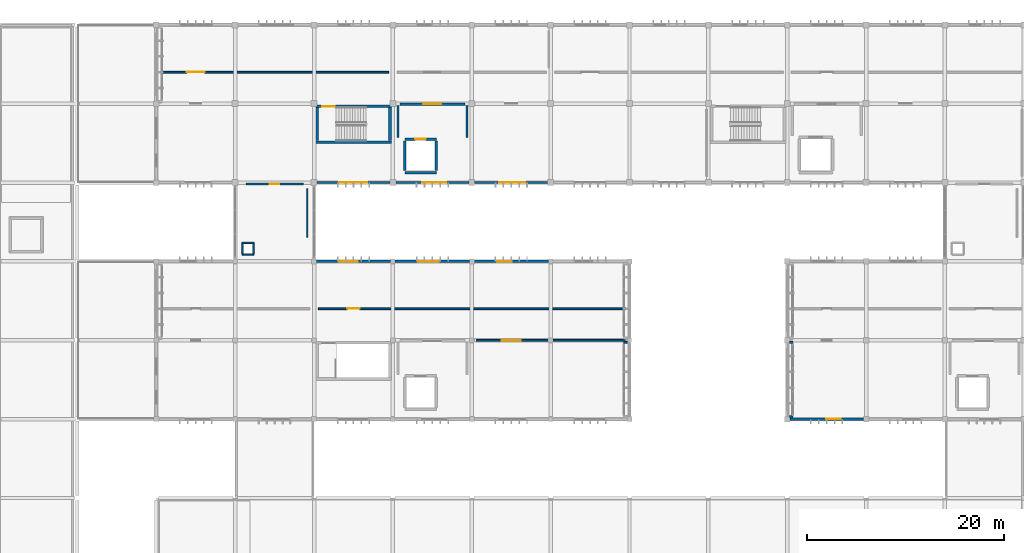
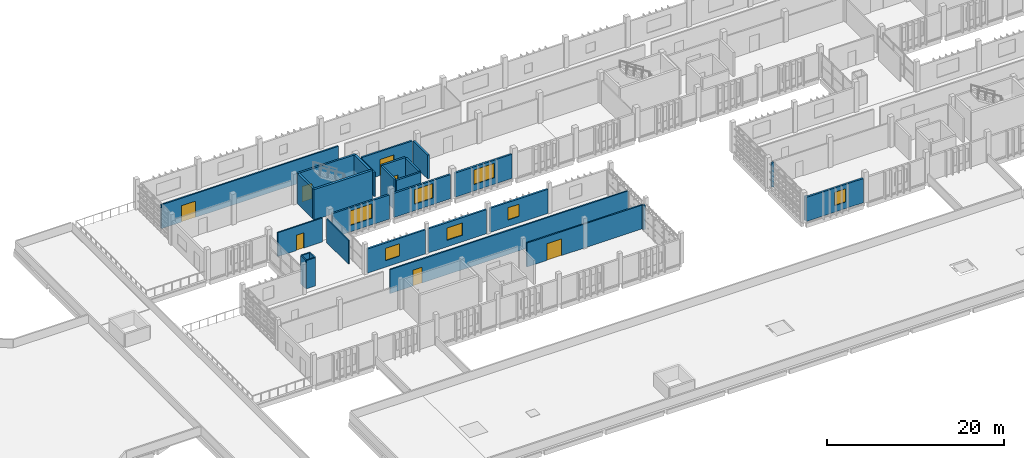
# One storey, part 33 of 48: 30 walls, 7 doors, 7 windows, 14 openings.
"""IFC4 building model written with IfcOpenShell, lengths in metres."""

from ifc_helpers import new_model, si_unit, direction, frame, frame_2d, origin, place, context, subcontext, project, spatial, rectangle, extrude, material, layer, layer_set, type_object, element, fill, save


model = new_model("IFC4")

# Units and contexts
model_context = context("Model", 3, precision=1e-05, world=origin(), true_north=direction((0.0, 1.0)))
body_context = subcontext(model_context, "Body", "Model", "MODEL_VIEW")
ifc_project = project(units=[si_unit("LENGTHUNIT", "METRE"), si_unit("AREAUNIT", "SQUARE_METRE"), si_unit("VOLUMEUNIT", "CUBIC_METRE"), si_unit("PLANEANGLEUNIT", "RADIAN"), si_unit("MASSUNIT", "GRAM", prefix="KILO")], contexts=[model_context])

# Site, building, storey
site_placement = place(None, origin())
site = spatial("IfcSite", under=ifc_project, at=site_placement, CompositionType="ELEMENT")
building_placement = place(site_placement, origin())
building = spatial("IfcBuilding", under=site, at=building_placement, Name="Jelvoka-Kovrelna Polytechnic", CompositionType="ELEMENT")
storey_placement = place(building_placement, frame((0.0, 0.0, 22.199951171875)))
storey = spatial("IfcBuildingStorey", under=building, at=storey_placement, Name="L06", CompositionType="ELEMENT", Elevation=22.199951171875)

# Wall, opening, door
ifc_material_1 = material(Name="Concrete C35/45", Category="concrete")
ifc_layer_1 = layer(ifc_material_1, 0.219970703125)
ifc_layer_set_1 = layer_set([ifc_layer_1], Name="Concrete C35/45")
wall_type_1 = type_object("IfcWallType", Name="Wall_Compartment_220", PredefinedType="PARTITIONING", material=ifc_layer_set_1)
wall_1_placement = place(storey_placement, frame((88.699951171875, 63.949951171875, 0.0), z_axis=(0.0, 0.0, 1.0), x_axis=(1.0, 0.0, 0.0)))
wall_1 = element("IfcWall", 1, at=wall_1_placement, inside=storey, type_object=wall_type_1, Name="L06 interior wall 0303", PredefinedType="PARTITIONING", context=body_context, shape_type="SweptSolid", body=[
    extrude(rectangle(XDim=6.60009765625, YDim=0.219970703125, at=frame_2d((3.300048828125, 0.0))), origin(), (0.0, 0.0, 1.0), 3.300048828125),
])
opening_1_placement = place(wall_1_placement, frame((2.39990234375, 0.0, 0.0)))
opening_1 = element("IfcOpeningElement", 2, at=opening_1_placement, cuts=wall_1, Name="Opening FD-L06-070", PredefinedType="OPENING", context=body_context, shape_type="SweptSolid", body=[
    extrude(rectangle(XDim=1.800048828125, YDim=2.199951171875, at=frame_2d((0.89990234375, 1.10009765625))), frame((0.0, 0.119873046875, 0.0), z_axis=(0.0, -1.0, 0.0), x_axis=(1.0, 0.0, 0.0)), (0.0, 0.0, 1.0), 0.239990234375),
])
ifc_material_2 = material(Name="Paired steel corridor fire door", Category="steel")
door_type_1 = type_object("IfcDoorType", Name="Door_Fire_FD03", OperationType="NOTDEFINED", PredefinedType="DOOR", material=ifc_material_2)
door_1_placement = place(opening_1_placement, origin())
door_1 = element("IfcDoor", 3, at=door_1_placement, inside=storey, type_object=door_type_1, Name="L06 interior door FD-L06-070", OperationType="DOUBLE_DOOR_SINGLE_SWING", OverallHeight=2.199951171875, OverallWidth=1.800048828125, PredefinedType="DOOR", context=body_context, shape_type="SweptSolid", body=[
    extrude(rectangle(XDim=1.800048828125, YDim=2.199951171875, at=frame_2d((0.89990234375, 1.10009765625))), frame((0.0, 0.02490234375, 0.0), z_axis=(0.0, -1.0, 0.0), x_axis=(1.0, 0.0, 0.0)), (0.0, 0.0, 1.0), 0.050048828125),
])
fill(opening_1, door_1)

# Walls
for number, where, z_axis, x_axis, name in (
    (4, (88.5, 60.550048828125, 0.0), (0.0, 0.0, 1.0), (0.0, 1.0, 0.0), "L06 interior wall 0304"),
    (5, (95.5, 60.550048828125, 0.0), (0.0, 0.0, 1.0), (0.0, 1.0, 0.0), "L06 interior wall 0305"),
):
    element("IfcWall", number, at=place(storey_placement, frame(where, z_axis=z_axis, x_axis=x_axis)), inside=storey, type_object=wall_type_1, Name=name, PredefinedType="PARTITIONING", context=body_context, shape_type="SweptSolid", body=[
        extrude(rectangle(XDim=3.25, YDim=0.219970703125, at=frame_2d((1.625, 0.0))), origin(), (0.0, 0.0, 1.0), 3.300048828125),
    ])

# Wall, opening, door
ifc_material_3 = material(Name="Concrete C40/50", Category="concrete")
ifc_layer_2 = layer(ifc_material_3, 0.25)
ifc_layer_set_2 = layer_set([ifc_layer_2], Name="Concrete C40/50")
wall_type_2 = type_object("IfcWallType", Name="Wall_Core_250", PredefinedType="SOLIDWALL", material=ifc_layer_set_2)
wall_2_placement = place(storey_placement, frame((80.199951171875, 63.739990234375, 0.0), z_axis=(0.0, 0.0, 1.0), x_axis=(1.0, 0.0, 0.0)))
wall_2 = element("IfcWall", 6, at=wall_2_placement, inside=storey, type_object=wall_type_2, Name="L06 interior wall 0171", PredefinedType="SOLIDWALL", context=body_context, shape_type="SweptSolid", body=[
    extrude(rectangle(XDim=7.650146484375, YDim=0.25, at=frame_2d((3.8251953125, 0.0))), origin(), (0.0, 0.0, 1.0), 4.199951171875),
])
opening_2_placement = place(wall_2_placement, frame((0.64990234375, 0.0, 0.0)))
opening_2 = element("IfcOpeningElement", 7, at=opening_2_placement, cuts=wall_2, Name="Opening SD-L06-043", PredefinedType="OPENING", context=body_context, shape_type="SweptSolid", body=[
    extrude(rectangle(XDim=1.25, YDim=2.14990234375, at=frame_2d((0.625, 1.074951171875))), frame((0.0, 0.135009765625, 0.0), z_axis=(0.0, -1.0, 0.0), x_axis=(1.0, 0.0, 0.0)), (0.0, 0.0, 1.0), 0.27001953125),
])
ifc_material_4 = material(Name="Powder-coated steel fire door", Category="steel")
door_type_2 = type_object("IfcDoorType", Name="Door_Fire_FD02", OperationType="NOTDEFINED", PredefinedType="DOOR", material=ifc_material_4)
door_2_placement = place(opening_2_placement, origin())
door_2 = element("IfcDoor", 8, at=door_2_placement, inside=storey, type_object=door_type_2, Name="L06 interior door SD-L06-043", OperationType="SINGLE_SWING_LEFT", OverallHeight=2.14990234375, OverallWidth=1.25, PredefinedType="DOOR", context=body_context, shape_type="SweptSolid", body=[
    extrude(rectangle(XDim=1.25, YDim=2.14990234375, at=frame_2d((0.625, 1.074951171875))), frame((0.0, 0.02490234375, 0.0), z_axis=(0.0, -1.0, 0.0), x_axis=(1.0, 0.0, 0.0)), (0.0, 0.0, 1.0), 0.050048828125),
])
fill(opening_2, door_2)

# Walls
wall_3_placement = place(storey_placement, frame((80.324951171875, 60.25, 0.0), z_axis=(0.0, 0.0, 1.0), x_axis=(0.0, 1.0, 0.0)))
element("IfcWall", 9, at=wall_3_placement, inside=storey, type_object=wall_type_2, Name="L06 interior wall 0172", PredefinedType="SOLIDWALL", context=body_context, shape_type="SweptSolid", body=[
    extrude(rectangle(XDim=3.360107421875, YDim=0.25, at=frame_2d((1.68017578125, 0.0))), origin(), (0.0, 0.0, 1.0), 4.199951171875),
])
wall_4_placement = place(storey_placement, frame((89.199951171875, 57.0, 0.0), z_axis=(0.0, 0.0, 1.0), x_axis=(1.0, 0.0, 0.0)))
element("IfcWall", 10, at=wall_4_placement, inside=storey, type_object=wall_type_2, Name="L06 interior wall 0299", PredefinedType="SOLIDWALL", context=body_context, shape_type="SweptSolid", body=[
    extrude(rectangle(XDim=3.199951171875, YDim=0.25, at=frame_2d((1.60009765625, 0.0))), origin(), (0.0, 0.0, 1.0), 4.199951171875),
])

# Wall, opening, door
wall_5_placement = place(storey_placement, frame((89.199951171875, 60.39990234375, 0.0), z_axis=(0.0, 0.0, 1.0), x_axis=(1.0, 0.0, 0.0)))
wall_5 = element("IfcWall", 11, at=wall_5_placement, inside=storey, type_object=wall_type_2, Name="L06 interior wall 0300", PredefinedType="SOLIDWALL", context=body_context, shape_type="SweptSolid", body=[
    extrude(rectangle(XDim=3.199951171875, YDim=0.25, at=frame_2d((1.60009765625, 0.0))), origin(), (0.0, 0.0, 1.0), 4.199951171875),
])
opening_3_placement = place(wall_5_placement, frame((1.050048828125, 0.0, 0.0)))
opening_3 = element("IfcOpeningElement", 12, at=opening_3_placement, cuts=wall_5, Name="Opening LD-L06-07", PredefinedType="OPENING", context=body_context, shape_type="SweptSolid", body=[
    extrude(rectangle(XDim=1.10009765625, YDim=2.14990234375, at=frame_2d((0.550048828125, 1.074951171875))), frame((0.0, 0.135009765625, 0.0), z_axis=(0.0, -1.0, 0.0), x_axis=(1.0, 0.0, 0.0)), (0.0, 0.0, 1.0), 0.27001953125),
])
ifc_material_5 = material(Name="Brushed stainless steel sliding landing door", Category="steel")
door_type_3 = type_object("IfcDoorType", Name="Door_Lift_LD01", OperationType="NOTDEFINED", PredefinedType="DOOR", material=ifc_material_5)
door_3_placement = place(opening_3_placement, origin())
door_3 = element("IfcDoor", 13, at=door_3_placement, inside=storey, type_object=door_type_3, Name="L06 lift landing sliding door LD-L06-07", OperationType="DOUBLE_DOOR_SLIDING", OverallHeight=2.14990234375, OverallWidth=1.10009765625, PredefinedType="DOOR", context=body_context, shape_type="SweptSolid", body=[
    extrude(rectangle(XDim=1.10009765625, YDim=2.14990234375, at=frame_2d((0.550048828125, 1.074951171875))), frame((0.0, 0.02490234375, 0.0), z_axis=(0.0, -1.0, 0.0), x_axis=(1.0, 0.0, 0.0)), (0.0, 0.0, 1.0), 0.050048828125),
])
fill(opening_3, door_3)

# Walls
for number, where, z_axis, x_axis, name in (
    (14, (89.199951171875, 57.199951171875, 0.0), (0.0, 0.0, 1.0), (0.0, 1.0, 0.0), "L06 interior wall 0301"),
    (15, (92.39990234375, 57.199951171875, 0.0), (0.0, 0.0, 1.0), (0.0, 1.0, 0.0), "L06 interior wall 0302"),
):
    element("IfcWall", number, at=place(storey_placement, frame(where, z_axis=z_axis, x_axis=x_axis)), inside=storey, type_object=wall_type_2, Name=name, PredefinedType="SOLIDWALL", context=body_context, shape_type="SweptSolid", body=[
        extrude(rectangle(XDim=3.0, YDim=0.25, at=frame_2d((1.5, 0.0))), origin(), (0.0, 0.0, 1.0), 4.199951171875),
    ])

# Wall, opening, door
ifc_material_6 = material(Name="Autoclaved aerated concrete blockwork", Category="masonry")
ifc_layer_3 = layer(ifc_material_6, 0.179931640625)
ifc_layer_set_3 = layer_set([ifc_layer_3], Name="Autoclaved aerated concrete blockwork")
wall_type_3 = type_object("IfcWallType", Name="Wall_Corridor_180", PredefinedType="PARTITIONING", material=ifc_layer_set_3)
wall_6_placement = place(storey_placement, frame((96.429931640625, 40.0, 0.0), z_axis=(0.0, 0.0, 1.0), x_axis=(1.0, 0.0, 0.0)))
wall_6 = element("IfcWall", 16, at=wall_6_placement, inside=storey, type_object=wall_type_3, Name="L06 interior wall 1241", PredefinedType="PARTITIONING", context=body_context, shape_type="SweptSolid", body=[
    extrude(rectangle(XDim=15.14013671875, YDim=0.179931640625, at=frame_2d((7.570068359375, 0.0))), origin(), (0.0, 0.0, 1.0), 3.300048828125),
])
opening_4_placement = place(wall_6_placement, frame((2.610107421875, 0.0, 0.0)))
opening_4 = element("IfcOpeningElement", 17, at=opening_4_placement, cuts=wall_6, Name="Opening D-L06-417", PredefinedType="OPENING", context=body_context, shape_type="SweptSolid", body=[
    extrude(rectangle(XDim=1.919921875, YDim=2.300048828125, at=frame_2d((0.9599609375, 1.14990234375))), frame((0.0, 0.099853515625, 0.0), z_axis=(0.0, -1.0, 0.0), x_axis=(1.0, 0.0, 0.0)), (0.0, 0.0, 1.0), 0.199951171875),
])
ifc_material_7 = material(Name="Paired workshop prep double door", Category="wood")
door_type_4 = type_object("IfcDoorType", Name="Door_Int_D23", OperationType="NOTDEFINED", PredefinedType="DOOR", material=ifc_material_7)
door_4_placement = place(opening_4_placement, origin())
door_4 = element("IfcDoor", 18, at=door_4_placement, inside=storey, type_object=door_type_4, Name="L06 interior door D-L06-417", OperationType="DOUBLE_DOOR_SINGLE_SWING", OverallHeight=2.300048828125, OverallWidth=1.919921875, PredefinedType="DOOR", context=body_context, shape_type="SweptSolid", body=[
    extrude(rectangle(XDim=1.919921875, YDim=2.300048828125, at=frame_2d((0.9599609375, 1.14990234375))), frame((0.0, 0.02490234375, 0.0), z_axis=(0.0, -1.0, 0.0), x_axis=(1.0, 0.0, 0.0)), (0.0, 0.0, 1.0), 0.050048828125),
])
fill(opening_4, door_4)

wall_7_placement = place(storey_placement, frame((80.429931640625, 43.199951171875, 0.0), z_axis=(0.0, 0.0, 1.0), x_axis=(1.0, 0.0, 0.0)))
wall_7 = element("IfcWall", 19, at=wall_7_placement, inside=storey, type_object=wall_type_3, Name="L06 interior wall 1243", PredefinedType="PARTITIONING", context=body_context, shape_type="SweptSolid", body=[
    extrude(rectangle(XDim=31.14013671875, YDim=0.179931640625, at=frame_2d((15.570068359375, 0.0))), origin(), (0.0, 0.0, 1.0), 3.300048828125),
])
opening_5_placement = place(wall_7_placement, frame((2.9599609375, 0.0, 0.0)))
opening_5 = element("IfcOpeningElement", 20, at=opening_5_placement, cuts=wall_7, Name="Opening D-L06-419", PredefinedType="OPENING", context=body_context, shape_type="SweptSolid", body=[
    extrude(rectangle(XDim=1.219970703125, YDim=2.179931640625, at=frame_2d((0.60986328125, 1.08984375))), frame((0.0, 0.099853515625, 0.0), z_axis=(0.0, -1.0, 0.0), x_axis=(1.0, 0.0, 0.0)), (0.0, 0.0, 1.0), 0.199951171875),
])
ifc_material_8 = material(Name="Hardwood fire-resisting laboratory door", Category="wood")
door_type_5 = type_object("IfcDoorType", Name="Door_Fire_FD30_04", OperationType="NOTDEFINED", PredefinedType="DOOR", material=ifc_material_8)
door_5_placement = place(opening_5_placement, origin())
door_5 = element("IfcDoor", 21, at=door_5_placement, inside=storey, type_object=door_type_5, Name="L06 interior door D-L06-419", OperationType="SINGLE_SWING_LEFT", OverallHeight=2.179931640625, OverallWidth=1.219970703125, PredefinedType="DOOR", context=body_context, shape_type="SweptSolid", body=[
    extrude(rectangle(XDim=1.219970703125, YDim=2.179931640625, at=frame_2d((0.60986328125, 1.08984375))), frame((0.0, 0.02490234375, 0.0), z_axis=(0.0, -1.0, 0.0), x_axis=(1.0, 0.0, 0.0)), (0.0, 0.0, 1.0), 0.050048828125),
])
fill(opening_5, door_5)

wall_8_placement = place(storey_placement, frame((64.429931640625, 67.199951171875, 0.0), z_axis=(0.0, 0.0, 1.0), x_axis=(1.0, 0.0, 0.0)))
wall_8 = element("IfcWall", 22, at=wall_8_placement, inside=storey, type_object=wall_type_3, Name="L06 interior wall 1259", PredefinedType="PARTITIONING", context=body_context, shape_type="SweptSolid", body=[
    extrude(rectangle(XDim=23.14013671875, YDim=0.179931640625, at=frame_2d((11.570068359375, 0.0))), origin(), (0.0, 0.0, 1.0), 3.300048828125),
])
opening_6_placement = place(wall_8_placement, frame((2.659912109375, 0.0, 0.0)))
opening_6 = element("IfcOpeningElement", 23, at=opening_6_placement, cuts=wall_8, Name="Opening D-L06-432", PredefinedType="OPENING", context=body_context, shape_type="SweptSolid", body=[
    extrude(rectangle(XDim=1.820068359375, YDim=2.25, at=frame_2d((0.91015625, 1.125))), frame((0.0, 0.099853515625, 0.0), z_axis=(0.0, -1.0, 0.0), x_axis=(1.0, 0.0, 0.0)), (0.0, 0.0, 1.0), 0.199951171875),
])
ifc_material_9 = material(Name="Paired hardwood fire-resisting assembly door", Category="wood")
door_type_6 = type_object("IfcDoorType", Name="Door_Fire_FD30_10", OperationType="NOTDEFINED", PredefinedType="DOOR", material=ifc_material_9)
door_6_placement = place(opening_6_placement, origin())
door_6 = element("IfcDoor", 24, at=door_6_placement, inside=storey, type_object=door_type_6, Name="L06 interior door D-L06-432", OperationType="DOUBLE_DOOR_SINGLE_SWING", OverallHeight=2.25, OverallWidth=1.820068359375, PredefinedType="DOOR", context=body_context, shape_type="SweptSolid", body=[
    extrude(rectangle(XDim=1.820068359375, YDim=2.25, at=frame_2d((0.91015625, 1.125))), frame((0.0, 0.02490234375, 0.0), z_axis=(0.0, -1.0, 0.0), x_axis=(1.0, 0.0, 0.0)), (0.0, 0.0, 1.0), 0.050048828125),
])
fill(opening_6, door_6)

wall_9_placement = place(storey_placement, frame((73.10009765625, 55.85009765625, 0.0), z_axis=(0.0, 0.0, 1.0), x_axis=(1.0, 0.0, 0.0)))
wall_9 = element("IfcWall", 25, at=wall_9_placement, inside=storey, type_object=wall_type_3, Name="L06 interior wall 1267", PredefinedType="PARTITIONING", context=body_context, shape_type="SweptSolid", body=[
    extrude(rectangle(XDim=5.7998046875, YDim=0.179931640625, at=frame_2d((2.89990234375, 0.0))), origin(), (0.0, 0.0, 1.0), 3.300048828125),
])
opening_7_placement = place(wall_9_placement, frame((2.409912109375, 0.0, 0.0)))
opening_7 = element("IfcOpeningElement", 26, at=opening_7_placement, cuts=wall_9, Name="Opening D-L06-438", PredefinedType="OPENING", context=body_context, shape_type="SweptSolid", body=[
    extrude(rectangle(XDim=0.97998046875, YDim=2.10009765625, at=frame_2d((0.489990234375, 1.050048828125))), frame((0.0, 0.099853515625, 0.0), z_axis=(0.0, -1.0, 0.0), x_axis=(1.0, 0.0, 0.0)), (0.0, 0.0, 1.0), 0.199951171875),
])
ifc_material_10 = material(Name="Hardwood solid-core door", Category="wood")
door_type_7 = type_object("IfcDoorType", Name="Door_Int_D03", OperationType="NOTDEFINED", PredefinedType="DOOR", material=ifc_material_10)
door_7_placement = place(opening_7_placement, origin())
door_7 = element("IfcDoor", 27, at=door_7_placement, inside=storey, type_object=door_type_7, Name="L06 interior door D-L06-438", OperationType="SINGLE_SWING_RIGHT", OverallHeight=2.10009765625, OverallWidth=0.97998046875, PredefinedType="DOOR", context=body_context, shape_type="SweptSolid", body=[
    extrude(rectangle(XDim=0.97998046875, YDim=2.10009765625, at=frame_2d((0.489990234375, 1.050048828125))), frame((0.0, 0.02490234375, 0.0), z_axis=(0.0, -1.0, 0.0), x_axis=(1.0, 0.0, 0.0)), (0.0, 0.0, 1.0), 0.050048828125),
])
fill(opening_7, door_7)

# Wall, opening, window
ifc_material_11 = material(Name="Precast concrete C40/50", Category="concrete")
ifc_layer_4 = layer(ifc_material_11, 0.239990234375)
ifc_layer_set_4 = layer_set([ifc_layer_4], Name="Precast concrete C40/50")
wall_type_4 = type_object("IfcWallType", Name="Wall_Ext_White_240", PredefinedType="STANDARD", material=ifc_layer_set_4)
wall_10_placement = place(storey_placement, frame((80.2470703125, 48.0, 0.0), z_axis=(0.0, 0.0, 1.0), x_axis=(1.0, 0.0, 0.0)))
wall_10 = element("IfcWall", 28, at=wall_10_placement, inside=storey, type_object=wall_type_4, Name="L06 exterior wall 0432", PredefinedType="STANDARD", context=body_context, shape_type="SweptSolid", body=[
    extrude(rectangle(XDim=7.531005859375, YDim=0.239990234375, at=frame_2d((3.765625, 0.0))), origin(), (0.0, 0.0, 1.0), 3.3349609375),
])
opening_8_placement = place(wall_10_placement, frame((2.3330078125, 0.0, 0.89990234375)))
opening_8 = element("IfcOpeningElement", 29, at=opening_8_placement, cuts=wall_10, Name="Opening W-L06-161", PredefinedType="OPENING", context=body_context, shape_type="SweptSolid", body=[
    extrude(rectangle(XDim=1.85009765625, YDim=1.699951171875, at=frame_2d((0.925048828125, 0.85009765625))), frame((0.0, 0.130126953125, 0.0), z_axis=(0.0, -1.0, 0.0), x_axis=(1.0, 0.0, 0.0)), (0.0, 0.0, 1.0), 0.260009765625),
])
ifc_material_12 = material(Name="Thermally broken anodised aluminium and low-e glazing", Category="aluminium")
window_type_1 = type_object("IfcWindowType", Name="Win_Casement_W35", PartitioningType="DOUBLE_PANEL_VERTICAL", PredefinedType="WINDOW", material=ifc_material_12)
window_1_placement = place(opening_8_placement, origin())
window_1 = element("IfcWindow", 30, at=window_1_placement, inside=storey, type_object=window_type_1, Name="L06 aluminium casement window W-L06-161", OverallHeight=1.699951171875, OverallWidth=1.85009765625, PartitioningType="DOUBLE_PANEL_VERTICAL", PredefinedType="WINDOW", context=body_context, shape_type="SweptSolid", body=[
    extrude(rectangle(XDim=1.85009765625, YDim=1.699951171875, at=frame_2d((0.925048828125, 0.85009765625))), frame((0.0, 0.030029296875, 0.0), z_axis=(0.0, -1.0, 0.0), x_axis=(1.0, 0.0, 0.0)), (0.0, 0.0, 1.0), 0.06005859375),
])
fill(opening_8, window_1)

wall_11_placement = place(storey_placement, frame((88.221923828125, 48.0, 0.0), z_axis=(0.0, 0.0, 1.0), x_axis=(1.0, 0.0, 0.0)))
wall_11 = element("IfcWall", 31, at=wall_11_placement, inside=storey, type_object=wall_type_4, Name="L06 exterior wall 0434", PredefinedType="STANDARD", context=body_context, shape_type="SweptSolid", body=[
    extrude(rectangle(XDim=7.531005859375, YDim=0.239990234375, at=frame_2d((3.765625, 0.0))), origin(), (0.0, 0.0, 1.0), 3.3349609375),
])
opening_9_placement = place(wall_11_placement, frame((2.35791015625, 0.0, 0.89990234375)))
opening_9 = element("IfcOpeningElement", 32, at=opening_9_placement, cuts=wall_11, Name="Opening W-L06-163", PredefinedType="OPENING", context=body_context, shape_type="SweptSolid", body=[
    extrude(rectangle(XDim=2.050048828125, YDim=1.699951171875, at=frame_2d((1.02490234375, 0.85009765625))), frame((0.0, 0.130126953125, 0.0), z_axis=(0.0, -1.0, 0.0), x_axis=(1.0, 0.0, 0.0)), (0.0, 0.0, 1.0), 0.260009765625),
])
ifc_material_13 = material(Name="Thermally broken anodised aluminium and low-e glazing", Category="aluminium")
window_type_2 = type_object("IfcWindowType", Name="Win_Casement_W36", PartitioningType="DOUBLE_PANEL_VERTICAL", PredefinedType="WINDOW", material=ifc_material_13)
window_2_placement = place(opening_9_placement, origin())
window_2 = element("IfcWindow", 33, at=window_2_placement, inside=storey, type_object=window_type_2, Name="L06 aluminium casement window W-L06-163", OverallHeight=1.699951171875, OverallWidth=2.050048828125, PartitioningType="DOUBLE_PANEL_VERTICAL", PredefinedType="WINDOW", context=body_context, shape_type="SweptSolid", body=[
    extrude(rectangle(XDim=2.050048828125, YDim=1.699951171875, at=frame_2d((1.02490234375, 0.85009765625))), frame((0.0, 0.030029296875, 0.0), z_axis=(0.0, -1.0, 0.0), x_axis=(1.0, 0.0, 0.0)), (0.0, 0.0, 1.0), 0.06005859375),
])
fill(opening_9, window_2)

wall_12_placement = place(storey_placement, frame((96.2470703125, 48.0, 0.0), z_axis=(0.0, 0.0, 1.0), x_axis=(1.0, 0.0, 0.0)))
wall_12 = element("IfcWall", 34, at=wall_12_placement, inside=storey, type_object=wall_type_4, Name="L06 exterior wall 0436", PredefinedType="STANDARD", context=body_context, shape_type="SweptSolid", body=[
    extrude(rectangle(XDim=7.531005859375, YDim=0.239990234375, at=frame_2d((3.765625, 0.0))), origin(), (0.0, 0.0, 1.0), 3.3349609375),
])
opening_10_placement = place(wall_12_placement, frame((2.3330078125, 0.0, 0.89990234375)))
opening_10 = element("IfcOpeningElement", 35, at=opening_10_placement, cuts=wall_12, Name="Opening W-L06-165", PredefinedType="OPENING", context=body_context, shape_type="SweptSolid", body=[
    extrude(rectangle(XDim=1.449951171875, YDim=1.699951171875, at=frame_2d((0.72509765625, 0.85009765625))), frame((0.0, 0.130126953125, 0.0), z_axis=(0.0, -1.0, 0.0), x_axis=(1.0, 0.0, 0.0)), (0.0, 0.0, 1.0), 0.260009765625),
])
ifc_material_14 = material(Name="Thermally broken anodised aluminium and low-e glazing", Category="aluminium")
window_type_3 = type_object("IfcWindowType", Name="Win_Casement_W33", PartitioningType="SINGLE_PANEL", PredefinedType="WINDOW", material=ifc_material_14)
window_3_placement = place(opening_10_placement, origin())
window_3 = element("IfcWindow", 36, at=window_3_placement, inside=storey, type_object=window_type_3, Name="L06 aluminium casement window W-L06-165", OverallHeight=1.699951171875, OverallWidth=1.449951171875, PartitioningType="SINGLE_PANEL", PredefinedType="WINDOW", context=body_context, shape_type="SweptSolid", body=[
    extrude(rectangle(XDim=1.449951171875, YDim=1.699951171875, at=frame_2d((0.72509765625, 0.85009765625))), frame((0.0, 0.030029296875, 0.0), z_axis=(0.0, -1.0, 0.0), x_axis=(1.0, 0.0, 0.0)), (0.0, 0.0, 1.0), 0.06005859375),
])
fill(opening_10, window_3)

wall_13_placement = place(storey_placement, frame((135.72802734375, 32.0, 0.0), z_axis=(0.0, 0.0, 1.0), x_axis=(-1.0, 0.0, 0.0)))
wall_13 = element("IfcWall", 37, at=wall_13_placement, inside=storey, type_object=wall_type_4, Name="L06 exterior wall 0530", PredefinedType="STANDARD", context=body_context, shape_type="SweptSolid", body=[
    extrude(rectangle(XDim=7.4560546875, YDim=0.239990234375, at=frame_2d((3.72802734375, 0.0))), origin(), (0.0, 0.0, 1.0), 3.3349609375),
])
opening_11_placement = place(wall_13_placement, frame((2.30810546875, 0.0, 0.89990234375)))
opening_11 = element("IfcOpeningElement", 38, at=opening_11_placement, cuts=wall_13, Name="Opening W-L06-223", PredefinedType="OPENING", context=body_context, shape_type="SweptSolid", body=[
    extrude(rectangle(XDim=1.449951171875, YDim=1.85009765625, at=frame_2d((0.72509765625, 0.925048828125))), frame((0.0, 0.130126953125, 0.0), z_axis=(0.0, -1.0, 0.0), x_axis=(1.0, 0.0, 0.0)), (0.0, 0.0, 1.0), 0.260009765625),
])
ifc_material_15 = material(Name="Thermally broken anodised aluminium and low-e glazing", Category="aluminium")
window_type_4 = type_object("IfcWindowType", Name="Win_Casement_W43", PartitioningType="SINGLE_PANEL", PredefinedType="WINDOW", material=ifc_material_15)
window_4_placement = place(opening_11_placement, origin())
window_4 = element("IfcWindow", 39, at=window_4_placement, inside=storey, type_object=window_type_4, Name="L06 aluminium casement window W-L06-223", OverallHeight=1.85009765625, OverallWidth=1.449951171875, PartitioningType="SINGLE_PANEL", PredefinedType="WINDOW", context=body_context, shape_type="SweptSolid", body=[
    extrude(rectangle(XDim=1.449951171875, YDim=1.85009765625, at=frame_2d((0.72509765625, 0.925048828125))), frame((0.0, 0.030029296875, 0.0), z_axis=(0.0, -1.0, 0.0), x_axis=(1.0, 0.0, 0.0)), (0.0, 0.0, 1.0), 0.06005859375),
])
fill(opening_11, window_4)

wall_14_placement = place(storey_placement, frame((87.702880859375, 56.0, 0.0), z_axis=(0.0, 0.0, 1.0), x_axis=(-1.0, 0.0, 0.0)))
wall_14 = element("IfcWall", 40, at=wall_14_placement, inside=storey, type_object=wall_type_4, Name="L06 exterior wall 0750", PredefinedType="STANDARD", context=body_context, shape_type="SweptSolid", body=[
    extrude(rectangle(XDim=7.40576171875, YDim=0.239990234375, at=frame_2d((3.702880859375, 0.0))), origin(), (0.0, 0.0, 1.0), 3.3349609375),
])
opening_12_placement = place(wall_14_placement, frame((2.282958984375, 0.0, 0.89990234375)))
opening_12 = element("IfcOpeningElement", 41, at=opening_12_placement, cuts=wall_14, Name="Opening W-L06-408", PredefinedType="OPENING", context=body_context, shape_type="SweptSolid", body=[
    extrude(rectangle(XDim=2.85009765625, YDim=2.0, at=frame_2d((1.425048828125, 1.0))), frame((0.0, 0.130126953125, 0.0), z_axis=(0.0, -1.0, 0.0), x_axis=(1.0, 0.0, 0.0)), (0.0, 0.0, 1.0), 0.260009765625),
])
ifc_material_16 = material(Name="Thermally broken anodised aluminium and low-e glazing", Category="aluminium")
window_type_5 = type_object("IfcWindowType", Name="Win_Casement_W60", PartitioningType="DOUBLE_PANEL_VERTICAL", PredefinedType="WINDOW", material=ifc_material_16)
window_5_placement = place(opening_12_placement, origin())
window_5 = element("IfcWindow", 42, at=window_5_placement, inside=storey, type_object=window_type_5, Name="L06 aluminium casement window W-L06-408", OverallHeight=2.0, OverallWidth=2.85009765625, PartitioningType="DOUBLE_PANEL_VERTICAL", PredefinedType="WINDOW", context=body_context, shape_type="SweptSolid", body=[
    extrude(rectangle(XDim=2.85009765625, YDim=2.0, at=frame_2d((1.425048828125, 1.0))), frame((0.0, 0.030029296875, 0.0), z_axis=(0.0, -1.0, 0.0), x_axis=(1.0, 0.0, 0.0)), (0.0, 0.0, 1.0), 0.06005859375),
])
fill(opening_12, window_5)

wall_15_placement = place(storey_placement, frame((95.702880859375, 56.0, 0.0), z_axis=(0.0, 0.0, 1.0), x_axis=(-1.0, 0.0, 0.0)))
wall_15 = element("IfcWall", 43, at=wall_15_placement, inside=storey, type_object=wall_type_4, Name="L06 exterior wall 0752", PredefinedType="STANDARD", context=body_context, shape_type="SweptSolid", body=[
    extrude(rectangle(XDim=7.40576171875, YDim=0.239990234375, at=frame_2d((3.702880859375, 0.0))), origin(), (0.0, 0.0, 1.0), 3.3349609375),
])
opening_13_placement = place(wall_15_placement, frame((2.282958984375, 0.0, 0.89990234375)))
opening_13 = element("IfcOpeningElement", 44, at=opening_13_placement, cuts=wall_15, Name="Opening W-L06-410", PredefinedType="OPENING", context=body_context, shape_type="SweptSolid", body=[
    extrude(rectangle(XDim=2.449951171875, YDim=2.0, at=frame_2d((1.22509765625, 1.0))), frame((0.0, 0.130126953125, 0.0), z_axis=(0.0, -1.0, 0.0), x_axis=(1.0, 0.0, 0.0)), (0.0, 0.0, 1.0), 0.260009765625),
])
ifc_material_17 = material(Name="Thermally broken anodised aluminium and low-e glazing", Category="aluminium")
window_type_6 = type_object("IfcWindowType", Name="Win_Casement_W58", PartitioningType="DOUBLE_PANEL_VERTICAL", PredefinedType="WINDOW", material=ifc_material_17)
window_6_placement = place(opening_13_placement, origin())
window_6 = element("IfcWindow", 45, at=window_6_placement, inside=storey, type_object=window_type_6, Name="L06 aluminium casement window W-L06-410", OverallHeight=2.0, OverallWidth=2.449951171875, PartitioningType="DOUBLE_PANEL_VERTICAL", PredefinedType="WINDOW", context=body_context, shape_type="SweptSolid", body=[
    extrude(rectangle(XDim=2.449951171875, YDim=2.0, at=frame_2d((1.22509765625, 1.0))), frame((0.0, 0.030029296875, 0.0), z_axis=(0.0, -1.0, 0.0), x_axis=(1.0, 0.0, 0.0)), (0.0, 0.0, 1.0), 0.06005859375),
])
fill(opening_13, window_6)

wall_16_placement = place(storey_placement, frame((103.702880859375, 56.0, 0.0), z_axis=(0.0, 0.0, 1.0), x_axis=(-1.0, 0.0, 0.0)))
wall_16 = element("IfcWall", 46, at=wall_16_placement, inside=storey, type_object=wall_type_4, Name="L06 exterior wall 0754", PredefinedType="STANDARD", context=body_context, shape_type="SweptSolid", body=[
    extrude(rectangle(XDim=7.40576171875, YDim=0.239990234375, at=frame_2d((3.702880859375, 0.0))), origin(), (0.0, 0.0, 1.0), 3.3349609375),
])
opening_14_placement = place(wall_16_placement, frame((2.282958984375, 0.0, 0.89990234375)))
opening_14 = element("IfcOpeningElement", 47, at=opening_14_placement, cuts=wall_16, Name="Opening W-L06-412", PredefinedType="OPENING", context=body_context, shape_type="SweptSolid", body=[
    extrude(rectangle(XDim=2.64990234375, YDim=2.0, at=frame_2d((1.324951171875, 1.0))), frame((0.0, 0.130126953125, 0.0), z_axis=(0.0, -1.0, 0.0), x_axis=(1.0, 0.0, 0.0)), (0.0, 0.0, 1.0), 0.260009765625),
])
ifc_material_18 = material(Name="Thermally broken anodised aluminium and low-e glazing", Category="aluminium")
window_type_7 = type_object("IfcWindowType", Name="Win_Casement_W59", PartitioningType="DOUBLE_PANEL_VERTICAL", PredefinedType="WINDOW", material=ifc_material_18)
window_7_placement = place(opening_14_placement, origin())
window_7 = element("IfcWindow", 48, at=window_7_placement, inside=storey, type_object=window_type_7, Name="L06 aluminium casement window W-L06-412", OverallHeight=2.0, OverallWidth=2.64990234375, PartitioningType="DOUBLE_PANEL_VERTICAL", PredefinedType="WINDOW", context=body_context, shape_type="SweptSolid", body=[
    extrude(rectangle(XDim=2.64990234375, YDim=2.0, at=frame_2d((1.324951171875, 1.0))), frame((0.0, 0.030029296875, 0.0), z_axis=(0.0, -1.0, 0.0), x_axis=(1.0, 0.0, 0.0)), (0.0, 0.0, 1.0), 0.06005859375),
])
fill(opening_14, window_7)

# Walls
ifc_material_19 = material(Name="Precast concrete C40/50", Category="concrete")
ifc_layer_5 = layer(ifc_material_19, 0.199951171875)
ifc_layer_set_5 = layer_set([ifc_layer_5], Name="Precast concrete C40/50")
wall_type_5 = type_object("IfcWallType", Name="Wall_Parapet_200", PredefinedType="PARAPET", material=ifc_layer_set_5)
for number, where, z_axis, x_axis, name in (
    (49, (111.760009765625, 39.780029296875, 0.0), (0.0, 0.0, 1.0), (-1.0, 0.0, 0.0), "L06 exterior wall 0443"),
    (50, (128.239990234375, 32.219970703125, 0.0), (0.0, 0.0, 1.0), (1.0, 0.0, 0.0), "L06 exterior wall 0547"),
    (51, (128.239990234375, 39.780029296875, 0.0), (0.0, 0.0, 1.0), (1.0, 0.0, 0.0), "L06 exterior wall 0548"),
):
    element("IfcWall", number, at=place(storey_placement, frame(where, z_axis=z_axis, x_axis=x_axis)), inside=storey, type_object=wall_type_5, Name=name, PredefinedType="PARAPET", context=body_context, shape_type="SweptSolid", body=[
        extrude(rectangle(XDim=0.320068359375, YDim=0.199951171875, at=frame_2d((0.16015625, 0.0))), origin(), (0.0, 0.0, 1.0), 3.35009765625),
    ])
ifc_material_20 = material(Name="Acoustic gypsum stud partition")
ifc_layer_6 = layer(ifc_material_20, 0.125)
ifc_layer_set_6 = layer_set([ifc_layer_6], Name="Acoustic gypsum stud partition")
wall_type_6 = type_object("IfcWallType", Name="Wall_Partition_125", PredefinedType="PARTITIONING", material=ifc_layer_set_6)
wall_17_placement = place(storey_placement, frame((79.300048828125, 50.469970703125, 0.0), z_axis=(0.0, 0.0, 1.0), x_axis=(0.0, 1.0, 0.0)))
element("IfcWall", 52, at=wall_17_placement, inside=storey, type_object=wall_type_6, Name="L06 interior wall 1268", PredefinedType="PARTITIONING", context=body_context, shape_type="SweptSolid", body=[
    extrude(rectangle(XDim=4.909912109375, YDim=0.125, at=frame_2d((2.455078125, 0.0))), origin(), (0.0, 0.0, 1.0), 3.300048828125),
])
ifc_material_21 = material(Name="Autoclaved aerated concrete blockwork", Category="masonry")
ifc_layer_7 = layer(ifc_material_21, 0.14990234375)
ifc_layer_set_7 = layer_set([ifc_layer_7], Name="Autoclaved aerated concrete blockwork")
wall_type_7 = type_object("IfcWallType", Name="Wall_Partition_150", PredefinedType="PARTITIONING", material=ifc_layer_set_7)
for number, where, z_axis, x_axis, name in (
    (53, (72.719970703125, 48.719970703125, 0.0), (0.0, 0.0, 1.0), (1.0, 0.0, 0.0), "L06 interior wall 0787"),
    (54, (73.8798828125, 48.719970703125, 0.0), (0.0, 0.0, 1.0), (0.0, 1.0, 0.0), "L06 interior wall 0788"),
    (55, (73.8798828125, 49.8798828125, 0.0), (0.0, 0.0, 1.0), (-1.0, 0.0, 0.0), "L06 interior wall 0789"),
    (56, (72.719970703125, 49.8798828125, 0.0), (0.0, 0.0, 1.0), (0.0, -1.0, 0.0), "L06 interior wall 0790"),
):
    element("IfcWall", number, at=place(storey_placement, frame(where, z_axis=z_axis, x_axis=x_axis)), inside=storey, type_object=wall_type_7, Name=name, PredefinedType="PARTITIONING", context=body_context, shape_type="SweptSolid", body=[
        extrude(rectangle(XDim=1.159912109375, YDim=0.14990234375, at=frame_2d((0.580078125, 0.0))), origin(), (0.0, 0.0, 1.0), 3.900146484375),
    ])
ifc_material_22 = material(Name="Concrete C40/50", Category="concrete")
ifc_layer_8 = layer(ifc_material_22, 0.300048828125)
ifc_layer_set_8 = layer_set([ifc_layer_8], Name="Concrete C40/50")
wall_type_8 = type_object("IfcWallType", Name="Wall_Shear_300", PredefinedType="SHEAR", material=ifc_layer_set_8)
wall_18_placement = place(storey_placement, frame((80.199951171875, 60.090087890625, 0.0), z_axis=(0.0, 0.0, 1.0), x_axis=(1.0, 0.0, 0.0)))
element("IfcWall", 57, at=wall_18_placement, inside=storey, type_object=wall_type_8, Name="L06 interior wall 0169", PredefinedType="SHEAR", context=body_context, shape_type="SweptSolid", body=[
    extrude(rectangle(XDim=7.650146484375, YDim=0.300048828125, at=frame_2d((3.8251953125, 0.0))), origin(), (0.0, 0.0, 1.0), 4.199951171875),
])
wall_19_placement = place(storey_placement, frame((87.7099609375, 60.25, 0.0), z_axis=(0.0, 0.0, 1.0), x_axis=(0.0, 1.0, 0.0)))
element("IfcWall", 58, at=wall_19_placement, inside=storey, type_object=wall_type_8, Name="L06 interior wall 0170", PredefinedType="SHEAR", context=body_context, shape_type="SweptSolid", body=[
    extrude(rectangle(XDim=3.360107421875, YDim=0.300048828125, at=frame_2d((1.68017578125, 0.0))), origin(), (0.0, 0.0, 1.0), 4.199951171875),
])

save(model, "model.ifc")
